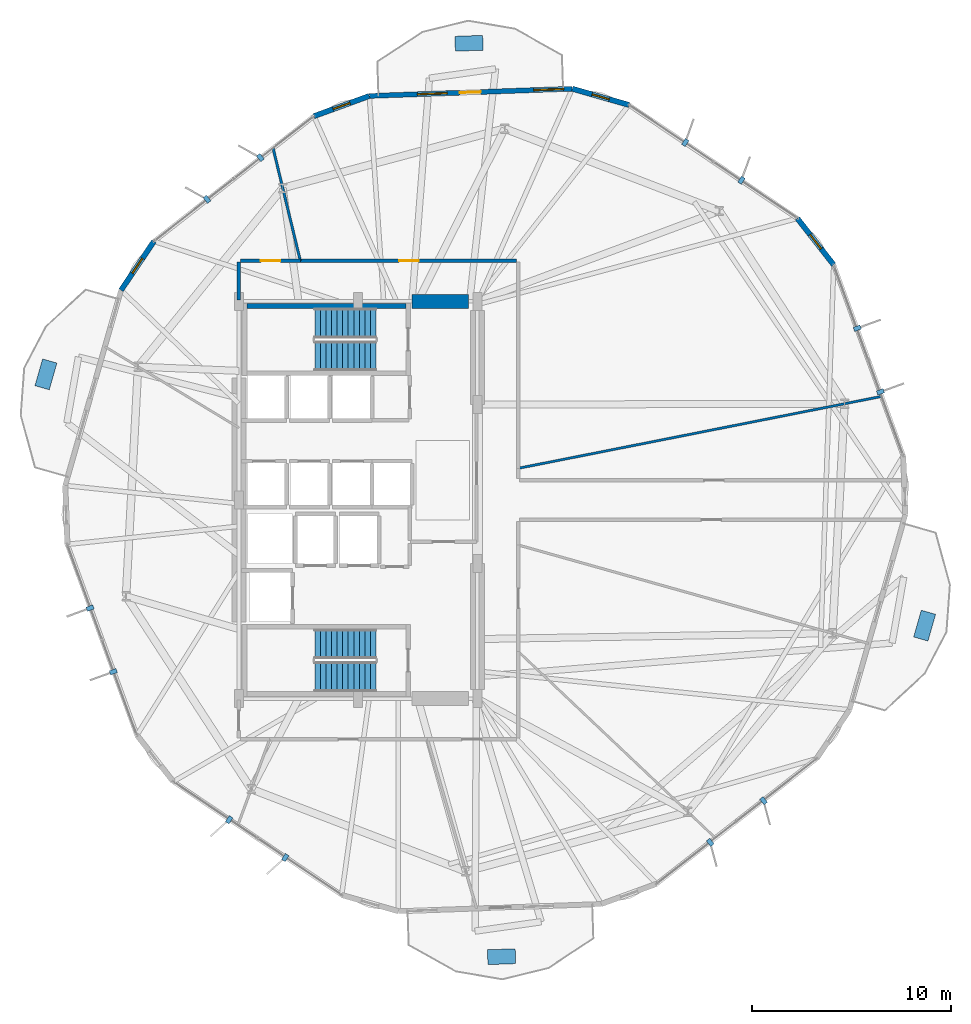
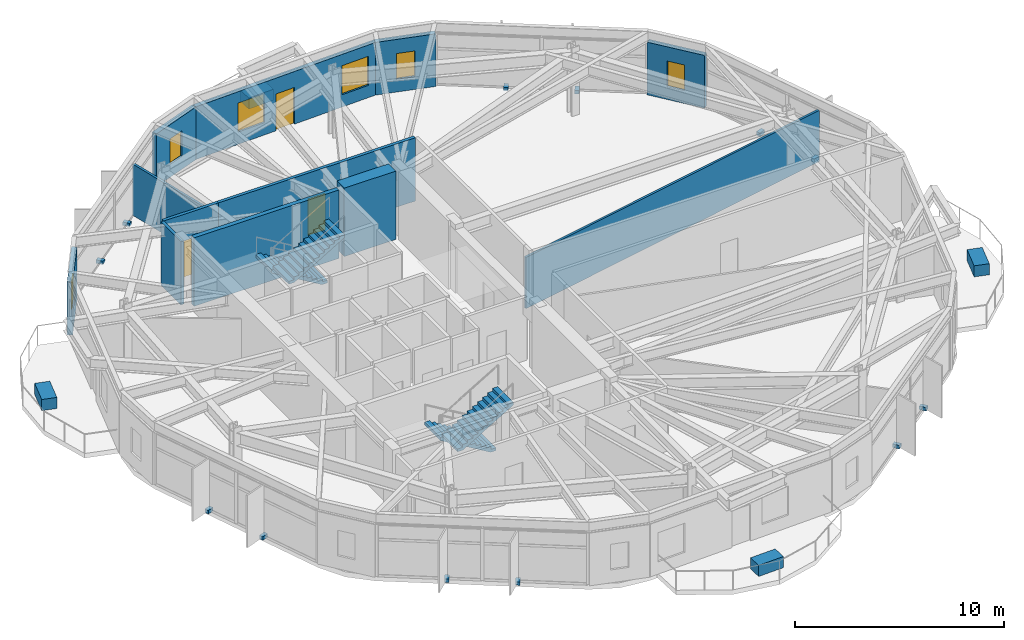
# One storey, part 18 of 21: 16 discrete accessories, 12 walls, 6 windows, 4 stair flights, 3 doors, 9 openings, 2 elements without a shape of their own.
"""IFC4 building model written with IfcOpenShell, lengths in metres."""

from ifc_helpers import new_model, si_unit, direction, frame, frame_2d, origin, origin_2d, place, context, subcontext, project, spatial, polyline, rectangle, outline, extrude, material, layer, layer_set, type_object, element, fill, aggregate, save


model = new_model("IFC4")

# Units and contexts
model_context = context("Model", 3, precision=1e-05, world=origin(), true_north=direction((0.0, 1.0)))
body_context = subcontext(model_context, "Body", "Model", "MODEL_VIEW")
ifc_project = project(units=[si_unit("LENGTHUNIT", "METRE"), si_unit("AREAUNIT", "SQUARE_METRE"), si_unit("VOLUMEUNIT", "CUBIC_METRE"), si_unit("PLANEANGLEUNIT", "RADIAN"), si_unit("MASSUNIT", "GRAM", prefix="KILO")], contexts=[model_context])

# Site, building, storey
site_placement = place(None, origin())
site = spatial("IfcSite", under=ifc_project, at=site_placement, CompositionType="ELEMENT")
building_placement = place(site_placement, origin())
building = spatial("IfcBuilding", under=site, at=building_placement, Name="Soratama Intermodal Tower", CompositionType="ELEMENT")
storey_placement = place(building_placement, frame((0.0, 0.0, 34.60009765625)))
storey = spatial("IfcBuildingStorey", under=building, at=storey_placement, Name="L07", CompositionType="ELEMENT", Elevation=34.60009765625)

# Wall, openings, door, windows
ifc_material_1 = material(Name="Concrete f'c 42 MPa", Category="concrete")
ifc_layer_1 = layer(ifc_material_1, 0.25)
ifc_layer_set_1 = layer_set([ifc_layer_1], Name="Concrete f'c 42 MPa")
wall_type_1 = type_object("IfcWallType", Name="EW-BAL-250", PredefinedType="SOLIDWALL", material=ifc_layer_set_1)
wall_1_placement = place(storey_placement, frame((49.37744140625, 45.700439453125, 0.0), z_axis=(0.0, 0.0, 1.0), x_axis=(-0.999366712114, -0.035583348891, 0.0)))
wall_1 = element("IfcWall", 1, at=wall_1_placement, inside=storey, type_object=wall_type_1, Name="L07 Terrace Wall F03", PredefinedType="SOLIDWALL", context=body_context, shape_type="SweptSolid", body=[
    extrude(rectangle(XDim=10.22314453125, YDim=0.25, at=frame_2d((5.111572265625, 0.0))), origin(), (0.0, 0.0, 1.0), 3.078857421875),
])
opening_1_placement = place(wall_1_placement, frame((4.611572265625, 0.0, 0.0)))
opening_1 = element("IfcOpeningElement", 2, at=opening_1_placement, cuts=wall_1, Name="Opening ED-5", PredefinedType="OPENING", context=body_context, shape_type="SweptSolid", body=[
    extrude(rectangle(XDim=1.050048828125, YDim=2.14990234375, at=frame_2d((0.52490234375, 1.074951171875))), frame((0.0, 0.135009765625, 0.0), z_axis=(0.0, -1.0, 0.0), x_axis=(1.0, 0.0, 0.0)), (0.0, 0.0, 1.0), 0.27001953125),
])
opening_2_placement = place(wall_1_placement, frame((0.43994140625, 0.0, 0.719970703125)))
opening_2 = element("IfcOpeningElement", 3, at=opening_2_placement, cuts=wall_1, Name="Opening WN-1", PredefinedType="OPENING", context=body_context, shape_type="SweptSolid", body=[
    extrude(rectangle(XDim=1.5, YDim=1.699951171875, at=frame_2d((0.75, 0.85009765625))), frame((0.0, 0.135009765625, 0.0), z_axis=(0.0, -1.0, 0.0), x_axis=(1.0, 0.0, 0.0)), (0.0, 0.0, 1.0), 0.27001953125),
])
opening_3_placement = place(wall_1_placement, frame((6.301513671875, 0.0, 0.719970703125)))
opening_3 = element("IfcOpeningElement", 4, at=opening_3_placement, cuts=wall_1, Name="Opening WN-1", PredefinedType="OPENING", context=body_context, shape_type="SweptSolid", body=[
    extrude(rectangle(XDim=1.5, YDim=1.699951171875, at=frame_2d((0.75, 0.85009765625))), frame((0.0, 0.135009765625, 0.0), z_axis=(0.0, -1.0, 0.0), x_axis=(1.0, 0.0, 0.0)), (0.0, 0.0, 1.0), 0.27001953125),
])
ifc_material_2 = material(Name="Double-glazed aluminium door", Category="aluminium")
door_type_1 = type_object("IfcDoorType", Name="DR-BAL-1050", OperationType="NOTDEFINED", PredefinedType="DOOR", material=ifc_material_2)
door_1_placement = place(opening_1_placement, origin())
door_1 = element("IfcDoor", 5, at=door_1_placement, inside=storey, type_object=door_type_1, Name="L07 Balcony Door F03", OperationType="SINGLE_SWING_LEFT", OverallHeight=2.14990234375, OverallWidth=1.050048828125, PredefinedType="DOOR", context=body_context, shape_type="SweptSolid", body=[
    extrude(rectangle(XDim=1.050048828125, YDim=2.14990234375, at=frame_2d((0.52490234375, 1.074951171875))), frame((0.0, 0.02490234375, 0.0), z_axis=(0.0, -1.0, 0.0), x_axis=(1.0, 0.0, 0.0)), (0.0, 0.0, 1.0), 0.050048828125),
])
fill(opening_1, door_1)
ifc_material_3 = material(Name="Double-glazed aluminium window", Category="aluminium")
window_type_1 = type_object("IfcWindowType", Name="WN-FAC-1500", PartitioningType="SINGLE_PANEL", PredefinedType="WINDOW", material=ifc_material_3)
window_1_placement = place(opening_2_placement, origin())
window_1 = element("IfcWindow", 6, at=window_1_placement, inside=storey, type_object=window_type_1, Name="L07 Window A F03", OverallHeight=1.699951171875, OverallWidth=1.5, PartitioningType="SINGLE_PANEL", PredefinedType="WINDOW", context=body_context, shape_type="SweptSolid", body=[
    extrude(rectangle(XDim=1.5, YDim=1.699951171875, at=frame_2d((0.75, 0.85009765625))), frame((0.0, 0.030029296875, 0.0), z_axis=(0.0, -1.0, 0.0), x_axis=(1.0, 0.0, 0.0)), (0.0, 0.0, 1.0), 0.06005859375),
])
fill(opening_2, window_1)
window_2_placement = place(opening_3_placement, origin())
window_2 = element("IfcWindow", 7, at=window_2_placement, inside=storey, type_object=window_type_1, Name="L07 Window B F03", OverallHeight=1.699951171875, OverallWidth=1.5, PartitioningType="SINGLE_PANEL", PredefinedType="WINDOW", context=body_context, shape_type="SweptSolid", body=[
    extrude(rectangle(XDim=1.5, YDim=1.699951171875, at=frame_2d((0.75, 0.85009765625))), frame((0.0, 0.030029296875, 0.0), z_axis=(0.0, -1.0, 0.0), x_axis=(1.0, 0.0, 0.0)), (0.0, 0.0, 1.0), 0.06005859375),
])
fill(opening_3, window_2)

# Wall, opening, window
ifc_material_4 = material(Name="Concrete f'c 42 MPa", Category="concrete")
ifc_layer_2 = layer(ifc_material_4, 0.27001953125)
ifc_layer_set_2 = layer_set([ifc_layer_2], Name="Concrete f'c 42 MPa")
wall_type_2 = type_object("IfcWallType", Name="EW-CRN-270", PredefinedType="SOLIDWALL", material=ifc_layer_set_2)
wall_2_placement = place(storey_placement, frame((62.536865234375, 36.837646484375, 0.0), z_axis=(0.0, 0.0, 1.0), x_axis=(-0.616177326297, 0.78760745461, 0.0)))
wall_2 = element("IfcWall", 8, at=wall_2_placement, inside=storey, type_object=wall_type_2, Name="L07 Corner Closure Wall 01", PredefinedType="SOLIDWALL", context=body_context, shape_type="SweptSolid", body=[
    extrude(rectangle(XDim=2.966552734375, YDim=0.27001953125, at=frame_2d((1.4833984375, 0.0))), origin(), (0.0, 0.0, 1.0), 3.078857421875),
])
opening_4_placement = place(wall_2_placement, frame((1.033203125, 0.0, 0.75)))
opening_4 = element("IfcOpeningElement", 9, at=opening_4_placement, cuts=wall_2, Name="Opening WN-6", PredefinedType="OPENING", context=body_context, shape_type="SweptSolid", body=[
    extrude(rectangle(XDim=0.89990234375, YDim=1.5, at=frame_2d((0.449951171875, 0.75))), frame((0.0, 0.14501953125, 0.0), z_axis=(0.0, -1.0, 0.0), x_axis=(1.0, 0.0, 0.0)), (0.0, 0.0, 1.0), 0.2900390625),
])
ifc_material_5 = material(Name="Double-glazed aluminium window", Category="aluminium")
window_type_2 = type_object("IfcWindowType", Name="WN-FAC-900", PartitioningType="SINGLE_PANEL", PredefinedType="WINDOW", material=ifc_material_5)
window_3_placement = place(opening_4_placement, origin())
window_3 = element("IfcWindow", 10, at=window_3_placement, inside=storey, type_object=window_type_2, Name="L07 Corner Window 01", OverallHeight=1.5, OverallWidth=0.89990234375, PartitioningType="SINGLE_PANEL", PredefinedType="WINDOW", context=body_context, shape_type="SweptSolid", body=[
    extrude(rectangle(XDim=0.89990234375, YDim=1.5, at=frame_2d((0.449951171875, 0.75))), frame((0.0, 0.030029296875, 0.0), z_axis=(0.0, -1.0, 0.0), x_axis=(1.0, 0.0, 0.0)), (0.0, 0.0, 1.0), 0.06005859375),
])
fill(opening_4, window_3)

wall_3_placement = place(storey_placement, frame((52.2294921875, 44.884765625, 0.0), z_axis=(0.0, 0.0, 1.0), x_axis=(-0.961452483174, 0.274971130481, 0.0)))
wall_3 = element("IfcWall", 11, at=wall_3_placement, inside=storey, type_object=wall_type_2, Name="L07 Corner Closure Wall 02", PredefinedType="SOLIDWALL", context=body_context, shape_type="SweptSolid", body=[
    extrude(rectangle(XDim=2.96630859375, YDim=0.27001953125, at=frame_2d((1.483154296875, 0.0))), origin(), (0.0, 0.0, 1.0), 3.078857421875),
])
opening_5_placement = place(wall_3_placement, frame((1.033203125, 0.0, 0.75)))
opening_5 = element("IfcOpeningElement", 12, at=opening_5_placement, cuts=wall_3, Name="Opening WN-6", PredefinedType="OPENING", context=body_context, shape_type="SweptSolid", body=[
    extrude(rectangle(XDim=0.89990234375, YDim=1.5, at=frame_2d((0.449951171875, 0.75))), frame((0.0, 0.14501953125, 0.0), z_axis=(0.0, -1.0, 0.0), x_axis=(1.0, 0.0, 0.0)), (0.0, 0.0, 1.0), 0.2900390625),
])
window_4_placement = place(opening_5_placement, origin())
window_4 = element("IfcWindow", 13, at=window_4_placement, inside=storey, type_object=window_type_2, Name="L07 Corner Window 02", OverallHeight=1.5, OverallWidth=0.89990234375, PartitioningType="SINGLE_PANEL", PredefinedType="WINDOW", context=body_context, shape_type="SweptSolid", body=[
    extrude(rectangle(XDim=0.89990234375, YDim=1.5, at=frame_2d((0.449951171875, 0.75))), frame((0.0, 0.030029296875, 0.0), z_axis=(0.0, -1.0, 0.0), x_axis=(1.0, 0.0, 0.0)), (0.0, 0.0, 1.0), 0.06005859375),
])
fill(opening_5, window_4)

wall_4_placement = place(storey_placement, frame((39.160888671875, 45.336669921875, 0.0), z_axis=(0.0, 0.0, 1.0), x_axis=(-0.939456588186, -0.342667942642, 0.0)))
wall_4 = element("IfcWall", 14, at=wall_4_placement, inside=storey, type_object=wall_type_2, Name="L07 Corner Closure Wall 03", PredefinedType="SOLIDWALL", context=body_context, shape_type="SweptSolid", body=[
    extrude(rectangle(XDim=2.966796875, YDim=0.27001953125, at=frame_2d((1.4833984375, 0.0))), origin(), (0.0, 0.0, 1.0), 3.078857421875),
])
opening_6_placement = place(wall_4_placement, frame((1.033203125, 0.0, 0.75)))
opening_6 = element("IfcOpeningElement", 15, at=opening_6_placement, cuts=wall_4, Name="Opening WN-6", PredefinedType="OPENING", context=body_context, shape_type="SweptSolid", body=[
    extrude(rectangle(XDim=0.89990234375, YDim=1.5, at=frame_2d((0.449951171875, 0.75))), frame((0.0, 0.14501953125, 0.0), z_axis=(0.0, -1.0, 0.0), x_axis=(1.0, 0.0, 0.0)), (0.0, 0.0, 1.0), 0.2900390625),
])
window_5_placement = place(opening_6_placement, origin())
window_5 = element("IfcWindow", 16, at=window_5_placement, inside=storey, type_object=window_type_2, Name="L07 Corner Window 03", OverallHeight=1.5, OverallWidth=0.89990234375, PartitioningType="SINGLE_PANEL", PredefinedType="WINDOW", context=body_context, shape_type="SweptSolid", body=[
    extrude(rectangle(XDim=0.89990234375, YDim=1.5, at=frame_2d((0.449951171875, 0.75))), frame((0.0, 0.030029296875, 0.0), z_axis=(0.0, -1.0, 0.0), x_axis=(1.0, 0.0, 0.0)), (0.0, 0.0, 1.0), 0.06005859375),
])
fill(opening_6, window_5)

wall_5_placement = place(storey_placement, frame((28.322509765625, 38.0205078125, 0.0), z_axis=(0.0, 0.0, 1.0), x_axis=(-0.558644287113, -0.829407354969, 0.0)))
wall_5 = element("IfcWall", 17, at=wall_5_placement, inside=storey, type_object=wall_type_2, Name="L07 Corner Closure Wall 04", PredefinedType="SOLIDWALL", context=body_context, shape_type="SweptSolid", body=[
    extrude(rectangle(XDim=2.966552734375, YDim=0.27001953125, at=frame_2d((1.4833984375, 0.0))), origin(), (0.0, 0.0, 1.0), 3.078857421875),
])
opening_7_placement = place(wall_5_placement, frame((1.033203125, 0.0, 0.75)))
opening_7 = element("IfcOpeningElement", 18, at=opening_7_placement, cuts=wall_5, Name="Opening WN-6", PredefinedType="OPENING", context=body_context, shape_type="SweptSolid", body=[
    extrude(rectangle(XDim=0.89990234375, YDim=1.5, at=frame_2d((0.449951171875, 0.75))), frame((0.0, 0.14501953125, 0.0), z_axis=(0.0, -1.0, 0.0), x_axis=(1.0, 0.0, 0.0)), (0.0, 0.0, 1.0), 0.2900390625),
])
window_6_placement = place(opening_7_placement, origin())
window_6 = element("IfcWindow", 19, at=window_6_placement, inside=storey, type_object=window_type_2, Name="L07 Corner Window 04", OverallHeight=1.5, OverallWidth=0.89990234375, PartitioningType="SINGLE_PANEL", PredefinedType="WINDOW", context=body_context, shape_type="SweptSolid", body=[
    extrude(rectangle(XDim=0.89990234375, YDim=1.5, at=frame_2d((0.449951171875, 0.75))), frame((0.0, 0.030029296875, 0.0), z_axis=(0.0, -1.0, 0.0), x_axis=(1.0, 0.0, 0.0)), (0.0, 0.0, 1.0), 0.06005859375),
])
fill(opening_7, window_6)

# Wall, opening, door
ifc_material_6 = material(Name="Fire-rated gypsum stud partition", Category="concrete")
ifc_layer_3 = layer(ifc_material_6, 0.169921875)
ifc_layer_set_3 = layer_set([ifc_layer_3], Name="Fire-rated gypsum stud partition")
wall_type_3 = type_object("IfcWallType", Name="IW-PART-R170", PredefinedType="PARTITIONING", material=ifc_layer_set_3)
wall_6_placement = place(storey_placement, frame((35.68701171875, 37.050048828125, 0.0), z_axis=(0.0, 0.0, 1.0), x_axis=(1.0, 0.0, 0.0)))
wall_6 = element("IfcWall", 20, at=wall_6_placement, inside=storey, type_object=wall_type_3, Name="L07 Partition W-L07-TP006", PredefinedType="PARTITIONING", context=body_context, shape_type="SweptSolid", body=[
    extrude(rectangle(XDim=10.89306640625, YDim=0.169921875, at=frame_2d((5.446533203125, 0.0))), origin(), (0.0, 0.0, 1.0), 3.699951171875),
])
opening_8_placement = place(wall_6_placement, frame((4.971923828125, 0.0, 0.0)))
opening_8 = element("IfcOpeningElement", 21, at=opening_8_placement, cuts=wall_6, Name="Opening ID-5", PredefinedType="OPENING", context=body_context, shape_type="SweptSolid", body=[
    extrude(rectangle(XDim=0.97998046875, YDim=2.14990234375, at=frame_2d((0.489990234375, 1.074951171875))), frame((0.0, 0.094970703125, 0.0), z_axis=(0.0, -1.0, 0.0), x_axis=(1.0, 0.0, 0.0)), (0.0, 0.0, 1.0), 0.18994140625),
])
ifc_material_7 = material(Name="Solid hardwood acoustic door", Category="wood")
door_type_2 = type_object("IfcDoorType", Name="DR-OFF-980", OperationType="NOTDEFINED", PredefinedType="DOOR", material=ifc_material_7)
door_2_placement = place(opening_8_placement, origin())
door_2 = element("IfcDoor", 22, at=door_2_placement, inside=storey, type_object=door_type_2, Name="L07 Door D-L07-TP003", OperationType="SINGLE_SWING_RIGHT", OverallHeight=2.14990234375, OverallWidth=0.97998046875, PredefinedType="DOOR", context=body_context, shape_type="SweptSolid", body=[
    extrude(rectangle(XDim=0.97998046875, YDim=2.14990234375, at=frame_2d((0.489990234375, 1.074951171875))), frame((0.0, 0.02490234375, 0.0), z_axis=(0.0, -1.0, 0.0), x_axis=(1.0, 0.0, 0.0)), (0.0, 0.0, 1.0), 0.050048828125),
])
fill(opening_8, door_2)

wall_7_placement = place(storey_placement, frame((32.669921875, 37.050048828125, 0.0), z_axis=(0.0, 0.0, 1.0), x_axis=(1.0, 0.0, 0.0)))
wall_7 = element("IfcWall", 23, at=wall_7_placement, inside=storey, type_object=wall_type_3, Name="L07 Partition W-L07-TP018", PredefinedType="PARTITIONING", context=body_context, shape_type="SweptSolid", body=[
    extrude(rectangle(XDim=3.01708984375, YDim=0.169921875, at=frame_2d((1.508544921875, 0.0))), origin(), (0.0, 0.0, 1.0), 3.699951171875),
])
opening_9_placement = place(wall_7_placement, frame((1.032958984375, 0.0, 0.0)))
opening_9 = element("IfcOpeningElement", 24, at=opening_9_placement, cuts=wall_7, Name="Opening ID-5", PredefinedType="OPENING", context=body_context, shape_type="SweptSolid", body=[
    extrude(rectangle(XDim=0.97998046875, YDim=2.14990234375, at=frame_2d((0.489990234375, 1.074951171875))), frame((0.0, 0.094970703125, 0.0), z_axis=(0.0, -1.0, 0.0), x_axis=(1.0, 0.0, 0.0)), (0.0, 0.0, 1.0), 0.18994140625),
])
door_3_placement = place(opening_9_placement, origin())
door_3 = element("IfcDoor", 25, at=door_3_placement, inside=storey, type_object=door_type_2, Name="L07 Door D-L07-TP009", OperationType="SINGLE_SWING_RIGHT", OverallHeight=2.14990234375, OverallWidth=0.97998046875, PredefinedType="DOOR", context=body_context, shape_type="SweptSolid", body=[
    extrude(rectangle(XDim=0.97998046875, YDim=2.14990234375, at=frame_2d((0.489990234375, 1.074951171875))), frame((0.0, 0.02490234375, 0.0), z_axis=(0.0, -1.0, 0.0), x_axis=(1.0, 0.0, 0.0)), (0.0, 0.0, 1.0), 0.050048828125),
])
fill(opening_9, door_3)

# Walls
wall_8_placement = place(storey_placement, frame((32.60009765625, 35.070068359375, 0.0), z_axis=(0.0, 0.0, 1.0), x_axis=(0.0, 1.0, 0.0)))
element("IfcWall", 26, at=wall_8_placement, inside=storey, type_object=wall_type_3, Name="L07 Partition W-L07-TP021", PredefinedType="PARTITIONING", context=body_context, shape_type="SweptSolid", body=[
    extrude(rectangle(XDim=1.909912109375, YDim=0.169921875, at=frame_2d((0.955078125, 0.0))), origin(), (0.0, 0.0, 1.0), 3.699951171875),
])
ifc_material_8 = material(Name="Fire-rated gypsum stud partition", Category="concrete")
ifc_layer_4 = layer(ifc_material_8, 0.1201171875)
ifc_layer_set_4 = layer_set([ifc_layer_4], Name="Fire-rated gypsum stud partition")
wall_type_4 = type_object("IfcWallType", Name="IW-PART-S120", PredefinedType="PARTITIONING", material=ifc_layer_set_4)
wall_9_placement = place(storey_placement, frame((46.64990234375, 26.593017578125, 0.0), z_axis=(0.0, 0.0, 1.0), x_axis=(0.980975747737, 0.194130323113, 0.0)))
element("IfcWall", 27, at=wall_9_placement, inside=storey, type_object=wall_type_4, Name="L07 Partition W-L07-TP003", PredefinedType="PARTITIONING", context=body_context, shape_type="SweptSolid", body=[
    extrude(rectangle(XDim=18.657958984375, YDim=0.1201171875, at=frame_2d((9.3291015625, 0.0))), origin(), (0.0, 0.0, 1.0), 2.994873046875),
])
ifc_material_9 = material(Name="Fire-rated gypsum stud partition", Category="concrete")
ifc_layer_5 = layer(ifc_material_9, 0.1298828125)
ifc_layer_set_5 = layer_set([ifc_layer_5], Name="Fire-rated gypsum stud partition")
wall_type_5 = type_object("IfcWallType", Name="IW-PART-S130", PredefinedType="PARTITIONING", material=ifc_layer_set_5)
wall_10_placement = place(storey_placement, frame((35.68701171875, 37.050048828125, 0.0), z_axis=(0.0, 0.0, 1.0), x_axis=(-0.235042091541, 0.971985192893, 0.0)))
element("IfcWall", 28, at=wall_10_placement, inside=storey, type_object=wall_type_5, Name="L07 Partition W-L07-TP012", PredefinedType="PARTITIONING", context=body_context, shape_type="SweptSolid", body=[
    extrude(rectangle(XDim=5.823974609375, YDim=0.1298828125, at=frame_2d((2.912109375, 0.0))), origin(), (0.0, 0.0, 1.0), 2.994873046875),
])
ifc_material_10 = material(Name="Concrete f'c 56 MPa", Category="concrete")
ifc_layer_6 = layer(ifc_material_10, 0.699951171875)
ifc_layer_set_6 = layer_set([ifc_layer_6], Name="Concrete f'c 56 MPa")
wall_type_6 = type_object("IfcWallType", Name="SW-CORE-700", PredefinedType="SHEAR", material=ifc_layer_set_6)
wall_11_placement = place(storey_placement, frame((41.300048828125, 35.0, 0.0), z_axis=(0.0, 0.0, 1.0), x_axis=(1.0, 0.0, 0.0)))
element("IfcWall", 29, at=wall_11_placement, inside=storey, type_object=wall_type_6, Name="L07 Core Shear Wall CW-NE", PredefinedType="SHEAR", context=body_context, shape_type="SweptSolid", body=[
    extrude(rectangle(XDim=2.849853515625, YDim=0.699951171875, at=frame_2d((1.4248046875, 0.0))), origin(), (0.0, 0.0, 1.0), 4.0),
])
ifc_material_11 = material(Name="Concrete f'c 56 MPa", Category="concrete")
ifc_layer_7 = layer(ifc_material_11, 0.239990234375)
ifc_layer_set_7 = layer_set([ifc_layer_7], Name="Concrete f'c 56 MPa")
wall_type_7 = type_object("IfcWallType", Name="SW-STAIR-240", PredefinedType="SHEAR", material=ifc_layer_set_7)
wall_12_placement = place(storey_placement, frame((33.0, 34.77001953125, 0.0), z_axis=(0.0, 0.0, 1.0), x_axis=(1.0, 0.0, 0.0)))
element("IfcWall", 30, at=wall_12_placement, inside=storey, type_object=wall_type_7, Name="L07 ST-2 Shaft Shear Wall N", PredefinedType="SHEAR", context=body_context, shape_type="SweptSolid", body=[
    extrude(rectangle(XDim=8.0, YDim=0.239990234375, at=frame_2d((4.0, 0.0))), origin(), (0.0, 0.0, 1.0), 4.0),
])

# Stair, stair flights
ifc_material_12 = material(Name="Concrete f'c 42 MPa", Category="concrete")
stair_type = type_object("IfcStairType", Name="ST-CORE-DOGLEG", PredefinedType="HALF_TURN_STAIR", material=ifc_material_12)
stair_1_placement = place(storey_placement, origin())
stair_1 = element("IfcStair", 31, at=stair_1_placement, inside=storey, type_object=stair_type, Name="L07 ST-1", PredefinedType="HALF_TURN_STAIR")
ifc_material_13 = material(Name="Precast concrete f'c 40 MPa", Category="concrete")
ifc_layer_8 = layer(ifc_material_13, 0.199951171875)
ifc_layer_set_8 = layer_set([ifc_layer_8], Name="Precast concrete f'c 40 MPa")
stair_flight_type = type_object("IfcStairFlightType", Name="SF-FLIGHT-RC", PredefinedType="STRAIGHT", material=ifc_layer_set_8)
stair_flight_1_placement = place(storey_placement, frame((39.5, 17.75, 0.0), z_axis=(0.0, 0.0, 1.0), x_axis=(-1.0, 0.0, 0.0)))
stair_flight_1 = element("IfcStairFlight", 32, at=stair_flight_1_placement, type_object=stair_flight_type, Name="ST-1 flight 1", NumberOfRisers=12, NumberOfTreads=11, PredefinedType="STRAIGHT", RiserHeight=0.166666667, TreadLength=0.28, context=body_context, shape_type="SweptSolid", body=[
    extrude(outline(polyline([(0.0, 0.0), (0.0, 0.166748046875), (0.280029296875, 0.166748046875), (0.280029296875, 0.333251953125), (0.56005859375, 0.333251953125), (0.56005859375, 0.5), (0.840087890625, 0.5), (0.840087890625, 0.666748046875), (1.1201171875, 0.666748046875), (1.1201171875, 0.833251953125), (1.39990234375, 0.833251953125), (1.39990234375, 1.0), (1.679931640625, 1.0), (1.679931640625, 1.166748046875), (1.9599609375, 1.166748046875), (1.9599609375, 1.333251953125), (2.239990234375, 1.333251953125), (2.239990234375, 1.5), (2.52001953125, 1.5), (2.52001953125, 1.666748046875), (2.800048828125, 1.666748046875), (2.800048828125, 1.833251953125), (3.080078125, 1.833251953125), (3.080078125, 2.0), (3.080078125, 1.658935546875), (0.29296875, 0.0), (0.0, 0.0)])), frame((0.0, 0.75, 0.0), z_axis=(0.0, -1.0, 0.0), x_axis=(1.0, 0.0, 0.0)), (0.0, 0.0, 1.0), 1.5),
])
stair_flight_2_placement = place(storey_placement, frame((36.419921875, 16.10009765625, 2.0), z_axis=(0.0, 0.0, 1.0), x_axis=(1.0, 0.0, 0.0)))
stair_flight_2 = element("IfcStairFlight", 33, at=stair_flight_2_placement, type_object=stair_flight_type, Name="ST-1 flight 2", NumberOfRisers=12, NumberOfTreads=11, PredefinedType="STRAIGHT", RiserHeight=0.166666667, TreadLength=0.28, context=body_context, shape_type="SweptSolid", body=[
    extrude(outline(polyline([(0.0, 0.0), (0.0, 0.166748046875), (0.280029296875, 0.166748046875), (0.280029296875, 0.333251953125), (0.56005859375, 0.333251953125), (0.56005859375, 0.5), (0.840087890625, 0.5), (0.840087890625, 0.666748046875), (1.1201171875, 0.666748046875), (1.1201171875, 0.833251953125), (1.39990234375, 0.833251953125), (1.39990234375, 1.0), (1.679931640625, 1.0), (1.679931640625, 1.166748046875), (1.9599609375, 1.166748046875), (1.9599609375, 1.333251953125), (2.239990234375, 1.333251953125), (2.239990234375, 1.5), (2.52001953125, 1.5), (2.52001953125, 1.666748046875), (2.800048828125, 1.666748046875), (2.800048828125, 1.833251953125), (3.080078125, 1.833251953125), (3.080078125, 2.0), (3.080078125, 1.658935546875), (0.29296875, 0.0), (0.0, 0.0)])), frame((0.0, 0.75, 0.0), z_axis=(0.0, -1.0, 0.0), x_axis=(1.0, 0.0, 0.0)), (0.0, 0.0, 1.0), 1.5),
])
aggregate(stair_1, [stair_flight_1, stair_flight_2])

stair_2_placement = place(storey_placement, origin())
stair_2 = element("IfcStair", 34, at=stair_2_placement, inside=storey, type_object=stair_type, Name="L07 ST-2", PredefinedType="HALF_TURN_STAIR")
stair_flight_3_placement = place(storey_placement, frame((39.5, 33.89990234375, 0.0), z_axis=(0.0, 0.0, 1.0), x_axis=(-1.0, 0.0, 0.0)))
stair_flight_3 = element("IfcStairFlight", 35, at=stair_flight_3_placement, type_object=stair_flight_type, Name="ST-2 flight 1", NumberOfRisers=12, NumberOfTreads=11, PredefinedType="STRAIGHT", RiserHeight=0.166666667, TreadLength=0.28, context=body_context, shape_type="SweptSolid", body=[
    extrude(outline(polyline([(0.0, 0.0), (0.0, 0.166748046875), (0.280029296875, 0.166748046875), (0.280029296875, 0.333251953125), (0.56005859375, 0.333251953125), (0.56005859375, 0.5), (0.840087890625, 0.5), (0.840087890625, 0.666748046875), (1.1201171875, 0.666748046875), (1.1201171875, 0.833251953125), (1.39990234375, 0.833251953125), (1.39990234375, 1.0), (1.679931640625, 1.0), (1.679931640625, 1.166748046875), (1.9599609375, 1.166748046875), (1.9599609375, 1.333251953125), (2.239990234375, 1.333251953125), (2.239990234375, 1.5), (2.52001953125, 1.5), (2.52001953125, 1.666748046875), (2.800048828125, 1.666748046875), (2.800048828125, 1.833251953125), (3.080078125, 1.833251953125), (3.080078125, 2.0), (3.080078125, 1.658935546875), (0.29296875, 0.0), (0.0, 0.0)])), frame((0.0, 0.75, 0.0), z_axis=(0.0, -1.0, 0.0), x_axis=(1.0, 0.0, 0.0)), (0.0, 0.0, 1.0), 1.5),
])
stair_flight_4_placement = place(storey_placement, frame((36.419921875, 32.25, 2.0), z_axis=(0.0, 0.0, 1.0), x_axis=(1.0, 0.0, 0.0)))
stair_flight_4 = element("IfcStairFlight", 36, at=stair_flight_4_placement, type_object=stair_flight_type, Name="ST-2 flight 2", NumberOfRisers=12, NumberOfTreads=11, PredefinedType="STRAIGHT", RiserHeight=0.166666667, TreadLength=0.28, context=body_context, shape_type="SweptSolid", body=[
    extrude(outline(polyline([(0.0, 0.0), (0.0, 0.166748046875), (0.280029296875, 0.166748046875), (0.280029296875, 0.333251953125), (0.56005859375, 0.333251953125), (0.56005859375, 0.5), (0.840087890625, 0.5), (0.840087890625, 0.666748046875), (1.1201171875, 0.666748046875), (1.1201171875, 0.833251953125), (1.39990234375, 0.833251953125), (1.39990234375, 1.0), (1.679931640625, 1.0), (1.679931640625, 1.166748046875), (1.9599609375, 1.166748046875), (1.9599609375, 1.333251953125), (2.239990234375, 1.333251953125), (2.239990234375, 1.5), (2.52001953125, 1.5), (2.52001953125, 1.666748046875), (2.800048828125, 1.666748046875), (2.800048828125, 1.833251953125), (3.080078125, 1.833251953125), (3.080078125, 2.0), (3.080078125, 1.658935546875), (0.29296875, 0.0), (0.0, 0.0)])), frame((0.0, 0.75, 0.0), z_axis=(0.0, -1.0, 0.0), x_axis=(1.0, 0.0, 0.0)), (0.0, 0.0, 1.0), 1.5),
])
aggregate(stair_2, [stair_flight_3, stair_flight_4])

# Discrete accessories
ifc_material_14 = material(Name="Structural steel ASTM A992 Grade 50", Category="steel")
discrete_accessory_type_1 = type_object("IfcDiscreteAccessoryType", Name="AC-FIN-BRACKET", PredefinedType="BRACKET", material=ifc_material_14)
for number, where, z_axis, x_axis, name in (
    (37, (64.89111328125, 30.44189453125, -0.080078125), (0.0, 0.0, 1.0), (0.939453616704, 0.342676089132, 0.0), "L07 Fin Bracket F01-1"),
    (38, (63.723388671875, 33.643310546875, -0.080078125), (0.0, 0.0, 1.0), (0.939453616704, 0.342676089132, 0.0), "L07 Fin Bracket F01-2"),
    (39, (57.8935546875, 41.09423828125, -0.080078125), (0.0, 0.0, 1.0), (0.558613989835, 0.829427760785, 0.0), "L07 Fin Bracket F02-1"),
    (40, (55.067138671875, 42.997802734375, -0.080078125), (0.0, 0.0, 1.0), (0.558613989835, 0.829427760785, 0.0), "L07 Fin Bracket F02-2"),
    (41, (33.677734375, 42.236083984375, -0.080078125), (0.0, 0.0, 1.0), (-0.616211460536, 0.787580748815, 0.0), "L07 Fin Bracket F04-1"),
    (42, (30.993896484375, 40.135986328125, -0.080078125), (0.0, 0.0, 1.0), (-0.616211460536, 0.787580748815, 0.0), "L07 Fin Bracket F04-2"),
    (43, (25.10888671875, 19.55810546875, -0.080078125), (0.0, 0.0, 1.0), (-0.939453616704, -0.342676089132, 0.0), "L07 Fin Bracket F06-1"),
    (44, (26.276611328125, 16.356689453125, -0.080078125), (0.0, 0.0, 1.0), (-0.939453616704, -0.342676089132, 0.0), "L07 Fin Bracket F06-2"),
    (45, (32.1064453125, 8.90576171875, -0.080078125), (0.0, 0.0, 1.0), (-0.558613989835, -0.829427760785, 0.0), "L07 Fin Bracket F07-1"),
    (46, (34.932861328125, 7.002197265625, -0.080078125), (0.0, 0.0, 1.0), (-0.558613989835, -0.829427760785, 0.0), "L07 Fin Bracket F07-2"),
    (47, (56.322265625, 7.763916015625, -0.080078125), (0.0, 0.0, 1.0), (0.616211460536, -0.787580748815, 0.0), "L07 Fin Bracket F09-1"),
    (48, (59.006103515625, 9.864013671875, -0.080078125), (0.0, 0.0, 1.0), (0.616211460536, -0.787580748815, 0.0), "L07 Fin Bracket F09-2"),
):
    element("IfcDiscreteAccessory", number, at=place(storey_placement, frame(where, z_axis=z_axis, x_axis=x_axis)), inside=storey, type_object=discrete_accessory_type_1, Name=name, PredefinedType="BRACKET", context=body_context, shape_type="SweptSolid", body=[
        extrude(rectangle(XDim=0.360107421875, YDim=0.219970703125, at=origin_2d()), origin(), (0.0, 0.0, 1.0), 0.199951171875),
    ])
ifc_material_15 = material(Name="Precast concrete f'c 40 MPa", Category="concrete")
discrete_accessory_type_2 = type_object("IfcDiscreteAccessoryType", Name="AC-PLANTER-TREE", PredefinedType="USERDEFINED", material=ifc_material_15)
for number, where, z_axis, x_axis, name in (
    (49, (67.114990234375, 18.67529296875, 0.0), (0.0, 0.0, 1.0), (0.961453892845, -0.274966201438, 0.0), "L07 Tree Planter 1"),
    (50, (44.18115234375, 47.987060546875, 0.0), (0.0, 0.0, 1.0), (-0.035597194559, 0.999366219031, 0.0), "L07 Tree Planter 2"),
    (51, (22.885009765625, 31.32470703125, 0.0), (0.0, 0.0, 1.0), (-0.961453892845, 0.274966201438, 0.0), "L07 Tree Planter 3"),
    (52, (45.81884765625, 2.012939453125, 0.0), (0.0, 0.0, 1.0), (0.035597194559, -0.999366219031, 0.0), "L07 Tree Planter 4"),
):
    element("IfcDiscreteAccessory", number, at=place(storey_placement, frame(where, z_axis=z_axis, x_axis=x_axis)), inside=storey, type_object=discrete_accessory_type_2, Name=name, ObjectType="PLANTER", PredefinedType="USERDEFINED", context=body_context, shape_type="SweptSolid", body=[
        extrude(rectangle(XDim=0.75, YDim=1.39990234375, at=origin_2d()), origin(), (0.0, 0.0, 1.0), 0.64990234375),
    ])

save(model, "model.ifc")
